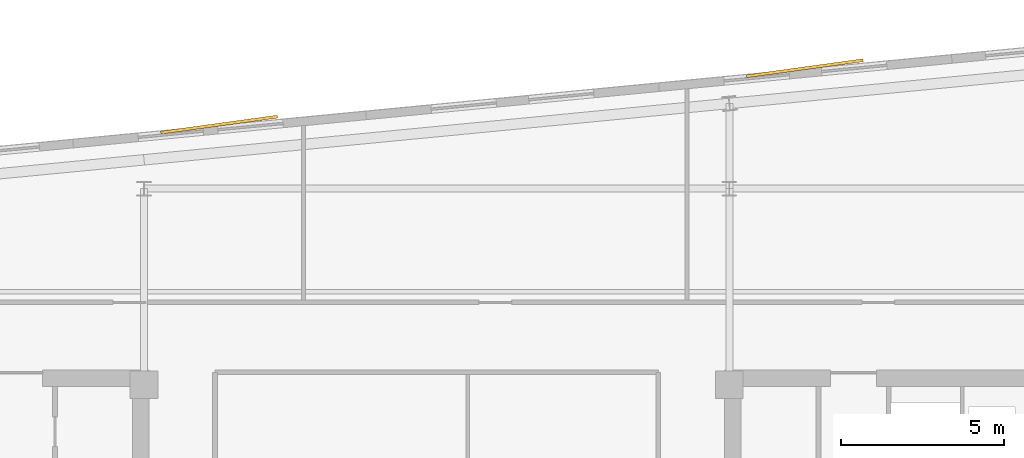
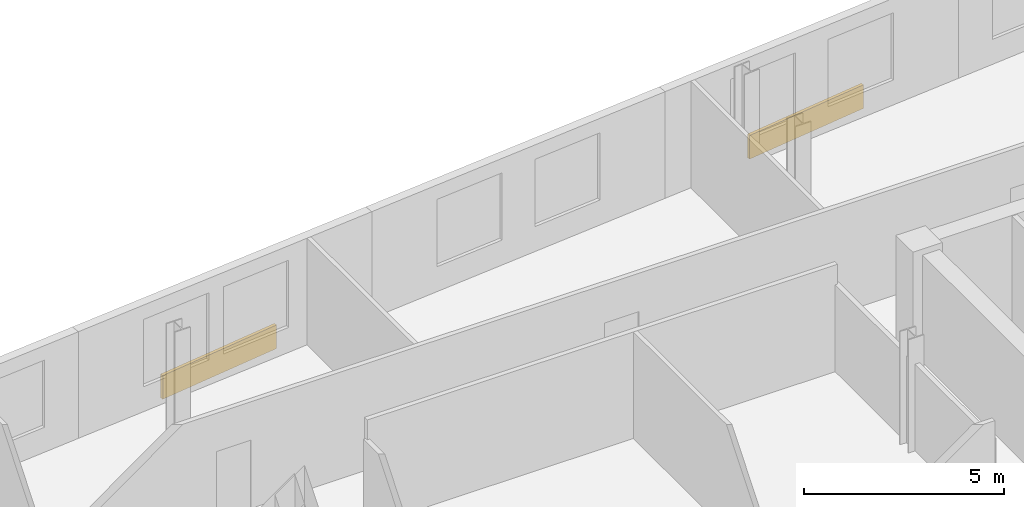
# One storey, part 9 of 9: 2 coverings.
"""IFC4 building model written with IfcOpenShell, lengths in metres."""

import ifcopenshell
import ifcopenshell.guid

model = None  # the IFC model being written
_history = None  # IfcOwnerHistory: only IFC2X3 demands one
_inside = {}  # id of a spatial element -> (the spatial element, [elements in it])
_under = {}  # id of a project, library or spatial element -> (it, [spatial elements below it])
_declared = {}  # id of a project -> (the project, [libraries it declares])
_typed = {}  # id of a type object -> (the type object, [elements of that type])
_made_of = {}  # id of a material, layer set ... -> (it, [elements and type objects made of it])


def new_model(schema):
    """Start an empty IFC model of exactly this schema.

    Asked for "IFC4X3", IfcOpenShell would pick the latest addendum, in which some entities
    have other attributes; the version numbers below select the first issue.
    IFC2X3 requires an IfcOwnerHistory on every rooted entity: one is made here for all.
    """
    global model, _history
    if schema == "IFC4X3":
        model = ifcopenshell.file(schema_version=(4, 3, 0, 0))
    else:
        model = ifcopenshell.file(schema=schema)
    _inside.clear()
    _under.clear()
    _declared.clear()
    _typed.clear()
    _made_of.clear()
    _history = None
    if model.schema == "IFC2X3":
        org = make("IfcOrganization", Name="unknown")
        user = make(
            "IfcPersonAndOrganization",
            ThePerson=make("IfcPerson", FamilyName="unknown"),
            TheOrganization=org,
        )
        app = make(
            "IfcApplication",
            ApplicationDeveloper=org,
            Version="unknown",
            ApplicationFullName="unknown",
            ApplicationIdentifier="unknown",
        )
        _history = make(
            "IfcOwnerHistory",
            OwningUser=user,
            OwningApplication=app,
            ChangeAction="ADDED",
            CreationDate=0,
        )
    return model


def make(cls, **values):
    """One entity of the class cls with the attributes given. An attribute that is None is left unset."""
    return model.create_entity(
        cls, **{name: value for name, value in values.items() if value is not None}
    )


def rooted(cls, **values):
    """An entity with a GlobalId (a new one), such as an element, a storey or a relation."""
    return make(cls, GlobalId=ifcopenshell.guid.new(), OwnerHistory=_history, **values)


def si_unit(unit_type, name, prefix=None):
    """IfcSIUnit, for example si_unit("LENGTHUNIT", "METRE", prefix="MILLI")."""
    return make("IfcSIUnit", UnitType=unit_type, Prefix=prefix, Name=name)


def assignment(units):
    """IfcUnitAssignment: the units of a project."""
    return None if units is None else make("IfcUnitAssignment", Units=units)


def point(xyz):
    """IfcCartesianPoint."""
    return None if xyz is None else make("IfcCartesianPoint", Coordinates=xyz)


def direction(xyz):
    """IfcDirection."""
    return None if xyz is None else make("IfcDirection", DirectionRatios=xyz)


def frame(location, z_axis=None, x_axis=None):
    """IfcAxis2Placement3D, a coordinate frame: its origin and axes. An axis left out is left unset."""
    return make(
        "IfcAxis2Placement3D",
        Location=point(location),
        Axis=direction(z_axis),
        RefDirection=direction(x_axis),
    )


def frame_2d(location, x_axis=None):
    """IfcAxis2Placement2D, a coordinate frame in the plane: its origin and x axis."""
    return make(
        "IfcAxis2Placement2D", Location=point(location), RefDirection=direction(x_axis)
    )


def origin():
    """The frame at (0, 0, 0) with its axes left unset."""
    return frame((0.0, 0.0, 0.0))


def origin_2d():
    """The frame at (0, 0) in the plane with its x axis left unset."""
    return frame_2d((0.0, 0.0))


def place(relative_to, where):
    """IfcLocalPlacement: puts the frame where relative to a parent placement (None: the world)."""
    return make(
        "IfcLocalPlacement", PlacementRelTo=relative_to, RelativePlacement=where
    )


def context(
    kind, dimensions, precision=None, world=None, true_north=None, identifier=None
):
    """IfcGeometricRepresentationContext, for example the 3D "Model" context."""
    return make(
        "IfcGeometricRepresentationContext",
        ContextIdentifier=identifier,
        ContextType=kind,
        CoordinateSpaceDimension=dimensions,
        Precision=precision,
        WorldCoordinateSystem=world,
        TrueNorth=true_north,
    )


def subcontext(parent, identifier, kind, view, scale=None):
    """IfcGeometricRepresentationSubContext, for example "Body" below "Model"."""
    return make(
        "IfcGeometricRepresentationSubContext",
        ContextIdentifier=identifier,
        ContextType=kind,
        ParentContext=parent,
        TargetScale=scale,
        TargetView=view,
    )


def project(units=None, contexts=None):
    """IfcProject with its units and contexts."""
    return rooted(
        "IfcProject",
        Name="project",
        RepresentationContexts=contexts,
        UnitsInContext=assignment(units),
    )


def spatial(cls, under=None, at=None, **own):
    """A site, building, storey or space (cls), placed at a placement, below another one or the project."""
    s = rooted(cls, ObjectPlacement=at, **own)
    if under is not None:
        _under.setdefault(under.id(), (under, []))[1].append(s)
    return s


def profile(cls, at=None, kind="AREA", **sizes):
    """A parametric profile (cls). Its sizes go by their IFC names, for example OverallWidth=200.0."""
    return make(cls, ProfileType=kind, Position=at, **sizes)


def rectangle(**sizes):
    """IfcRectangleProfileDef."""
    return profile("IfcRectangleProfileDef", **sizes)


def extrude(swept, where, along, depth):
    """IfcExtrudedAreaSolid: the profile swept, set in the frame where, extruded along a direction by depth."""
    return make(
        "IfcExtrudedAreaSolid",
        SweptArea=swept,
        Position=where,
        ExtrudedDirection=direction(along),
        Depth=depth,
    )


def shape(context_of_items, identifier, shape_type, items):
    """IfcShapeRepresentation: the items that make up one representation, for example the "Body"."""
    return make(
        "IfcShapeRepresentation",
        ContextOfItems=context_of_items,
        RepresentationIdentifier=identifier,
        RepresentationType=shape_type,
        Items=items,
    )


def material(Name=None, Category=None):
    """IfcMaterial."""
    return make("IfcMaterial", Name=Name, Category=Category)


def layer(
    of_material, thickness, ventilated=None, Name=None, Category=None, Priority=None
):
    """IfcMaterialLayer: one layer of a wall or slab, of a material (None: an air gap)."""
    return make(
        "IfcMaterialLayer",
        Material=of_material,
        LayerThickness=thickness,
        IsVentilated=ventilated,
        Name=Name,
        Category=Category,
        Priority=Priority,
    )


def layer_set(layers, Name=None):
    """IfcMaterialLayerSet."""
    return make("IfcMaterialLayerSet", MaterialLayers=layers, LayerSetName=Name)


def made_of(thing, what):
    """Note that an element or type object is made of a material, layer set ...; save() writes the relation."""
    if what is not None:
        _made_of.setdefault(what.id(), (what, []))[1].append(thing)
    return thing


def type_object(cls, material=None, **own):
    """A type object (cls), such as IfcWallType, which elements share."""
    return made_of(rooted(cls, **own), material)


def element(
    cls,
    number,
    at=None,
    inside=None,
    cuts=None,
    type_object=None,
    material=None,
    context=None,
    identifier="Body",
    shape_type=None,
    held_by="IfcProductDefinitionShape",
    body=None,
    shapes=None,
    **own,
):
    """One element of the class cls, such as IfcWall. Its Tag is "e" and its number.

    at: its placement. inside: the storey or other place that contains it. cuts: it is an
    opening in that element (IfcRelVoidsElement). A single representation is given by context,
    identifier, shape_type and body (its items); several are given by shapes. held_by: the class
    of the entity that holds the representations. save() writes the other relations.
    """
    e = rooted(cls, Tag="e%d" % number, ObjectPlacement=at, **own)
    if body is not None:
        shapes = [shape(context, identifier, shape_type, body)]
    if shapes is not None:
        e.Representation = make(held_by, Representations=shapes)
    if inside is not None:
        _inside.setdefault(inside.id(), (inside, []))[1].append(e)
    if cuts is not None:
        rooted(
            "IfcRelVoidsElement", RelatingBuildingElement=cuts, RelatedOpeningElement=e
        )
    if type_object is not None:
        _typed.setdefault(type_object.id(), (type_object, []))[1].append(e)
    return made_of(e, material)


def aggregate(whole, parts):
    """IfcRelAggregates: a whole, such as a stair, and the parts it consists of."""
    return rooted("IfcRelAggregates", RelatingObject=whole, RelatedObjects=parts)


def save(model, path):
    """Write the relations noted so far, then the file.

    IfcRelAggregates (storeys below a building ...), IfcRelContainedInSpatialStructure (elements
    in a storey), IfcRelDefinesByType, IfcRelAssociatesMaterial and IfcRelDeclares: one each for
    every whole, place, type object, material and project.
    """
    for whole, parts in _under.values():
        aggregate(whole, parts)
    for where, things in _inside.values():
        rooted(
            "IfcRelContainedInSpatialStructure",
            RelatedElements=things,
            RelatingStructure=where,
        )
    for kind, things in _typed.values():
        rooted("IfcRelDefinesByType", RelatedObjects=things, RelatingType=kind)
    for what, things in _made_of.values():
        rooted("IfcRelAssociatesMaterial", RelatedObjects=things, RelatingMaterial=what)
    for by, libraries in _declared.values():
        rooted("IfcRelDeclares", RelatingContext=by, RelatedDefinitions=libraries)
    model.write(path)


model = new_model("IFC4")

# Units and contexts
model_context = context("Model", 3, precision=1e-05, world=origin(), true_north=direction((0.0, 1.0)))
body_context = subcontext(model_context, "Body", "Model", "MODEL_VIEW")
ifc_project = project(units=[si_unit("LENGTHUNIT", "METRE"), si_unit("AREAUNIT", "SQUARE_METRE"), si_unit("VOLUMEUNIT", "CUBIC_METRE"), si_unit("PLANEANGLEUNIT", "RADIAN"), si_unit("MASSUNIT", "GRAM", prefix="KILO")], contexts=[model_context])

# Site, building, storey
site_placement = place(None, origin())
site = spatial("IfcSite", under=ifc_project, at=site_placement, CompositionType="ELEMENT")
building_placement = place(site_placement, origin())
building = spatial("IfcBuilding", under=site, at=building_placement, Name="Velakula Bourse", CompositionType="ELEMENT")
storey_placement = place(building_placement, frame((0.0, 0.0, 262.050048828125)))
storey = spatial("IfcBuildingStorey", under=building, at=storey_placement, Name="L71", CompositionType="ELEMENT", Elevation=262.050048828125)

# Coverings
ifc_material = material(Name="Buff kilned clay facing brick masonry", Category="masonry")
ifc_layer = layer(ifc_material, 0.074951171875, Name="Buff kilned clay facing brick masonry", Category="masonry")
ifc_layer_set = layer_set([ifc_layer], Name="Buff kilned clay facing brick masonry")
covering_type = type_object("IfcCoveringType", Name="COV-BRK-SPN-75", PredefinedType="CLADDING", material=ifc_layer_set)
for number, where, z_axis, x_axis, name in (
    (1, (-6.655029296875, 16.555908203125, 0.0), (0.0, 0.0, 1.0), (0.990629029058, 0.136580111242, 0.0), "L71 Folded Brick Facade Cladding Panel N-B2"),
    (2, (11.26220703125, 18.281005859375, 0.0), (0.0, 0.0, 1.0), (0.990629029058, 0.136580111242, 0.0), "L71 Folded Brick Facade Cladding Panel N-B4"),
):
    element("IfcCovering", number, at=place(storey_placement, frame(where, z_axis=z_axis, x_axis=x_axis)), inside=storey, type_object=covering_type, Name=name, PredefinedType="CLADDING", context=body_context, shape_type="SweptSolid", body=[
        extrude(rectangle(XDim=3.60009765625, YDim=0.090087890625, at=origin_2d()), origin(), (0.0, 0.0, 1.0), 0.719970703125),
    ])

save(model, "model.ifc")
